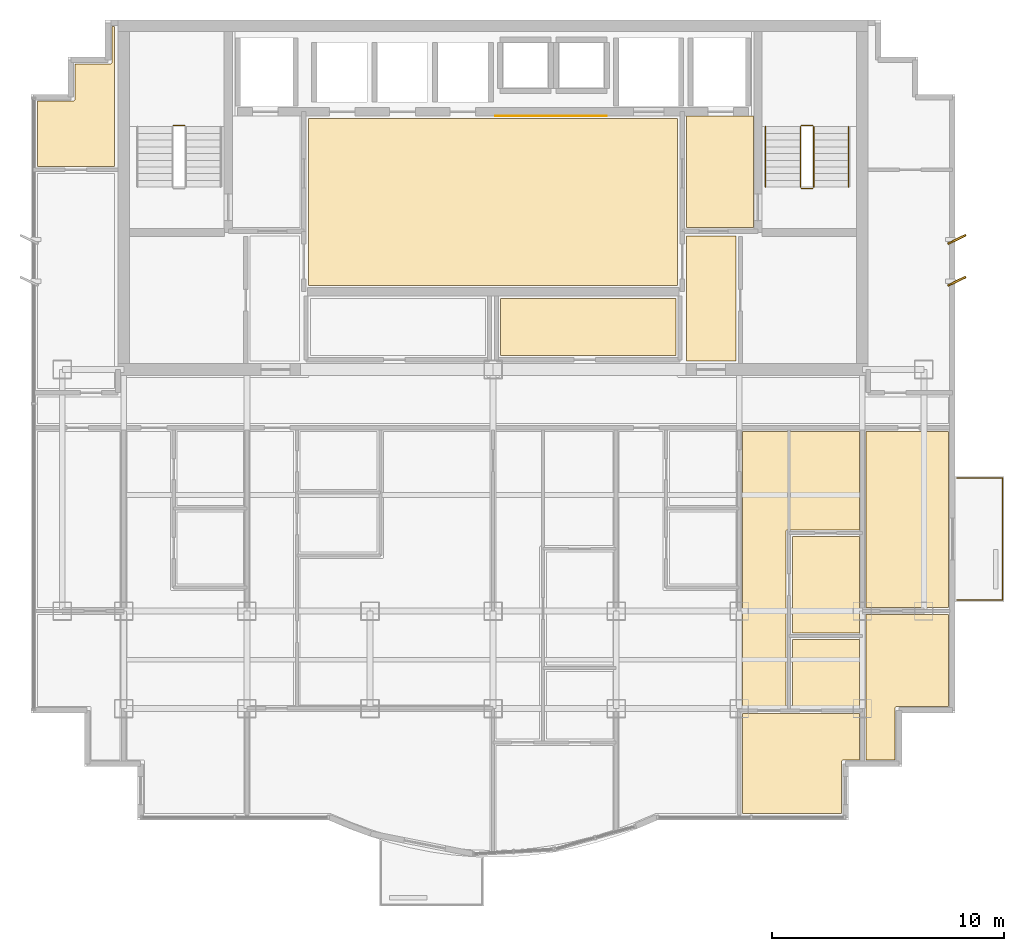
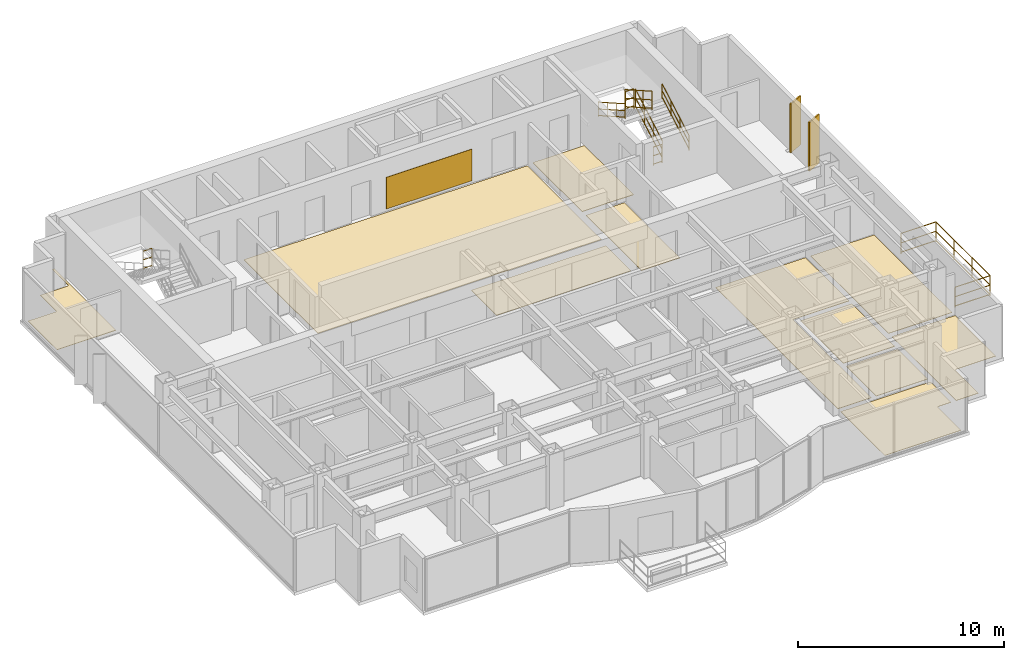
# One storey, part 11 of 11: 12 coverings, 8 railings, 2 shading devices.
"""IFC4 building model written with IfcOpenShell, lengths in metres."""

from ifc_helpers import new_model, si_unit, direction, frame, origin, origin_2d, place, context, subcontext, project, spatial, polyline, rectangle, circle, outline, extrude, source, transform, mapped, material, layer, layer_set, type_object, element, save


model = new_model("IFC4")

# Units and contexts
model_context = context("Model", 3, precision=1e-05, world=origin(), true_north=direction((0.0, 1.0)))
body_context = subcontext(model_context, "Body", "Model", "MODEL_VIEW")
ifc_project = project(units=[si_unit("LENGTHUNIT", "METRE"), si_unit("AREAUNIT", "SQUARE_METRE"), si_unit("VOLUMEUNIT", "CUBIC_METRE"), si_unit("PLANEANGLEUNIT", "RADIAN"), si_unit("MASSUNIT", "GRAM", prefix="KILO")], contexts=[model_context])

# Site, building, storey
site_placement = place(None, origin())
site = spatial("IfcSite", under=ifc_project, at=site_placement, CompositionType="ELEMENT")
building_placement = place(site_placement, origin())
building = spatial("IfcBuilding", under=site, at=building_placement, Name="Qianlan Lanfeng Residences", CompositionType="ELEMENT")
storey_placement = place(building_placement, frame((0.0, 0.0, 203.300048828125)))
storey = spatial("IfcBuildingStorey", under=building, at=storey_placement, Name="L55", CompositionType="ELEMENT", Elevation=203.300048828125)

# Coverings
ifc_material_1 = material(Name="Anodised Bronze Feature Wall Cladding")
ifc_layer_1 = layer(ifc_material_1, 0.02490234375)
ifc_layer_set_1 = layer_set([ifc_layer_1], Name="Anodised Bronze Feature Wall Cladding")
covering_type_1 = type_object("IfcCoveringType", Name="CLD-BRZ-25", PredefinedType="CLADDING", material=ifc_layer_set_1)
covering_1_placement = place(storey_placement, frame((0.0, 0.0, 0.14990234375)))
element("IfcCovering", 1, at=covering_1_placement, inside=storey, type_object=covering_type_1, Name="L55 Lift Lobby Bronze Feature Cladding", PredefinedType="CLADDING", context=body_context, shape_type="SweptSolid", body=[
    extrude(outline(polyline([(26.60009765625, 36.10009765625), (31.39990234375, 36.10009765625), (31.39990234375, 36.125), (26.60009765625, 36.125), (26.60009765625, 36.10009765625)])), origin(), (0.0, 0.0, 1.0), 1.880126953125),
])
ifc_material_2 = material(Name="Honed Taitung Granite Stone Flooring", Category="masonry")
ifc_layer_2 = layer(ifc_material_2, 0.030029296875)
ifc_layer_set_2 = layer_set([ifc_layer_2], Name="Honed Taitung Granite Stone Flooring")
covering_type_2 = type_object("IfcCoveringType", Name="FLR-STN-30", PredefinedType="FLOORING", material=ifc_layer_set_2)
covering_2_placement = place(storey_placement, origin())
element("IfcCovering", 2, at=covering_2_placement, inside=storey, type_object=covering_type_2, Name="L55 Firefighting Lift Lobby Floor Finish", PredefinedType="FLOORING", context=body_context, shape_type="SweptSolid", body=[
    extrude(outline(polyline([(34.820068359375, 31.320068359375), (37.7099609375, 31.320068359375), (37.7099609375, 36.110107421875), (34.820068359375, 36.110107421875), (34.820068359375, 31.320068359375)])), origin(), (0.0, 0.0, 1.0), 0.030029296875),
])
covering_3_placement = place(storey_placement, origin())
element("IfcCovering", 3, at=covering_3_placement, inside=storey, type_object=covering_type_2, Name="L55 Lift Lobby Floor Finish", PredefinedType="FLOORING", context=body_context, shape_type="SweptSolid", body=[
    extrude(outline(polyline([(18.550048828125, 28.820068359375), (34.449951171875, 28.820068359375), (34.449951171875, 36.010009765625), (18.550048828125, 36.010009765625), (18.550048828125, 28.820068359375)])), origin(), (0.0, 0.0, 1.0), 0.030029296875),
])
covering_4_placement = place(storey_placement, origin())
element("IfcCovering", 4, at=covering_4_placement, inside=storey, type_object=covering_type_2, Name="L55 Lift Lobby Floor Finish", PredefinedType="FLOORING", context=body_context, shape_type="SweptSolid", body=[
    extrude(outline(polyline([(34.830078125, 25.56005859375), (36.969970703125, 25.56005859375), (36.969970703125, 30.949951171875), (34.830078125, 30.949951171875), (34.830078125, 25.56005859375)])), origin(), (0.0, 0.0, 1.0), 0.030029296875),
])
ifc_material_3 = material(Name="Slip-Resistant Porcelain Tile Flooring")
ifc_layer_3 = layer(ifc_material_3, 0.02001953125)
ifc_layer_set_3 = layer_set([ifc_layer_3], Name="Slip-Resistant Porcelain Tile Flooring")
covering_type_3 = type_object("IfcCoveringType", Name="FLR-TIL-20", PredefinedType="FLOORING", material=ifc_layer_set_3)
covering_5_placement = place(storey_placement, origin())
element("IfcCovering", 5, at=covering_5_placement, inside=storey, type_object=covering_type_3, Name="L55 En-Suite Bathroom Floor Finish", PredefinedType="FLOORING", context=body_context, shape_type="SweptSolid", body=[
    extrude(outline(polyline([(39.389892578125, 10.659912109375), (42.27001953125, 10.659912109375), (42.27001953125, 13.580078125), (39.389892578125, 13.580078125), (39.389892578125, 10.659912109375)])), origin(), (0.0, 0.0, 1.0), 0.02001953125),
])
ifc_material_4 = material(Name="Engineered Smoked Oak Timber Flooring", Category="wood")
ifc_layer_4 = layer(ifc_material_4, 0.02197265625)
ifc_layer_set_4 = layer_set([ifc_layer_4], Name="Engineered Smoked Oak Timber Flooring")
covering_type_4 = type_object("IfcCoveringType", Name="FLR-TIM-22", PredefinedType="FLOORING", material=ifc_layer_set_4)
covering_6_placement = place(storey_placement, origin())
element("IfcCovering", 6, at=covering_6_placement, inside=storey, type_object=covering_type_4, Name="L55 Panoramic Sky Foyer Salon Floor Finish", PredefinedType="FLOORING", context=body_context, shape_type="SweptSolid", body=[
    extrude(outline(polyline([(26.830078125, 25.800048828125), (34.3701171875, 25.800048828125), (34.3701171875, 28.2548828125), (26.830078125, 28.2548828125), (26.830078125, 25.800048828125)])), origin(), (0.0, 0.0, 1.0), 0.02197265625),
])
covering_7_placement = place(storey_placement, origin())
element("IfcCovering", 7, at=covering_7_placement, inside=storey, type_object=covering_type_4, Name="L55 Private Study Floor Finish", PredefinedType="FLOORING", context=body_context, shape_type="SweptSolid", body=[
    extrude(outline(polyline([(39.389892578125, 13.860107421875), (42.27001953125, 13.860107421875), (42.27001953125, 18.02001953125), (39.389892578125, 18.02001953125), (39.389892578125, 13.860107421875)])), origin(), (0.0, 0.0, 1.0), 0.02197265625),
])
covering_8_placement = place(storey_placement, origin())
element("IfcCovering", 8, at=covering_8_placement, inside=storey, type_object=covering_type_4, Name="L55 Villa Family Sitting Room Floor Finish", PredefinedType="FLOORING", context=body_context, shape_type="SweptSolid", body=[
    extrude(outline(polyline([(37.22998046875, 10.659912109375), (39.110107421875, 10.659912109375), (39.110107421875, 18.22998046875), (39.110107421875, 18.237060546875), (39.111083984375, 18.243896484375), (39.113037109375, 18.25), (39.114990234375, 18.257080078125), (39.117919921875, 18.262939453125), (39.1220703125, 18.26904296875), (39.1259765625, 18.27392578125), (39.131103515625, 18.279052734375), (39.135986328125, 18.283935546875), (39.14111328125, 18.2880859375), (39.14697265625, 18.2919921875), (39.153076171875, 18.294921875), (39.159912109375, 18.297119140625), (39.166015625, 18.299072265625), (39.173095703125, 18.300048828125), (39.179931640625, 18.300048828125), (42.27001953125, 18.300048828125), (42.27001953125, 22.530029296875), (37.22998046875, 22.530029296875), (37.22998046875, 10.659912109375)])), origin(), (0.0, 0.0, 1.0), 0.02197265625),
])
covering_9_placement = place(storey_placement, origin())
element("IfcCovering", 9, at=covering_9_placement, inside=storey, type_object=covering_type_4, Name="L55 Master Bedroom Floor Finish", PredefinedType="FLOORING", context=body_context, shape_type="SweptSolid", body=[
    extrude(outline(polyline([(37.22998046875, 10.3798828125), (37.22998046875, 6.090087890625), (41.510009765625, 6.090087890625), (41.510009765625, 8.320068359375), (41.510009765625, 8.326904296875), (41.510986328125, 8.333984375), (41.512939453125, 8.340087890625), (41.514892578125, 8.346923828125), (41.51806640625, 8.35302734375), (41.52197265625, 8.35888671875), (41.52587890625, 8.364013671875), (41.531005859375, 8.368896484375), (41.535888671875, 8.3740234375), (41.541015625, 8.3779296875), (41.547119140625, 8.382080078125), (41.552978515625, 8.385009765625), (41.56005859375, 8.386962890625), (41.56591796875, 8.388916015625), (41.572998046875, 8.389892578125), (41.580078125, 8.389892578125), (42.27001953125, 8.389892578125), (42.27001953125, 10.3798828125), (37.22998046875, 10.3798828125)])), origin(), (0.0, 0.0, 1.0), 0.02197265625),
])
covering_10_placement = place(storey_placement, origin())
element("IfcCovering", 10, at=covering_10_placement, inside=storey, type_object=covering_type_4, Name="L55 Sunroom Floor Finish", PredefinedType="FLOORING", context=body_context, shape_type="SweptSolid", body=[
    extrude(outline(polyline([(46.110107421875, 14.64990234375), (42.56005859375, 14.64990234375), (42.56005859375, 8.389892578125), (43.81005859375, 8.389892578125), (43.81005859375, 10.6201171875), (43.81005859375, 10.626953125), (43.81103515625, 10.634033203125), (43.81298828125, 10.639892578125), (43.81494140625, 10.64697265625), (43.818115234375, 10.653076171875), (43.822021484375, 10.658935546875), (43.825927734375, 10.6640625), (43.8310546875, 10.6689453125), (43.8359375, 10.674072265625), (43.841064453125, 10.677978515625), (43.846923828125, 10.681884765625), (43.85302734375, 10.68505859375), (43.860107421875, 10.68701171875), (43.865966796875, 10.68896484375), (43.873046875, 10.68994140625), (43.8798828125, 10.68994140625), (46.110107421875, 10.68994140625), (46.110107421875, 14.64990234375)])), origin(), (0.0, 0.0, 1.0), 0.02197265625),
])
covering_11_placement = place(storey_placement, origin())
element("IfcCovering", 11, at=covering_11_placement, inside=storey, type_object=covering_type_4, Name="L55 Private Study Floor Finish", PredefinedType="FLOORING", context=body_context, shape_type="SweptSolid", body=[
    extrude(outline(polyline([(46.110107421875, 22.530029296875), (42.56005859375, 22.530029296875), (42.56005859375, 14.949951171875), (46.110107421875, 14.949951171875), (46.110107421875, 22.530029296875)])), origin(), (0.0, 0.0, 1.0), 0.02197265625),
])
covering_12_placement = place(storey_placement, origin())
element("IfcCovering", 12, at=covering_12_placement, inside=storey, type_object=covering_type_4, Name="L55 Resident Lounge Floor Finish", PredefinedType="FLOORING", context=body_context, shape_type="SweptSolid", body=[
    extrude(outline(polyline([(6.889892578125, 33.949951171875), (10.199951171875, 33.949951171875), (10.199951171875, 39.9599609375), (10.090087890625, 39.9599609375), (10.090087890625, 38.429931640625), (10.090087890625, 38.423095703125), (10.089111328125, 38.416015625), (10.0869140625, 38.409912109375), (10.0849609375, 38.403076171875), (10.08203125, 38.39697265625), (10.077880859375, 38.39111328125), (10.073974609375, 38.385986328125), (10.069091796875, 38.381103515625), (10.06396484375, 38.3759765625), (10.05908203125, 38.3720703125), (10.052978515625, 38.367919921875), (10.047119140625, 38.364990234375), (10.0400390625, 38.363037109375), (10.033935546875, 38.361083984375), (10.027099609375, 38.360107421875), (10.02001953125, 38.360107421875), (8.489990234375, 38.360107421875), (8.489990234375, 36.830078125), (8.489990234375, 36.822998046875), (8.489013671875, 36.81591796875), (8.487060546875, 36.81005859375), (8.485107421875, 36.802978515625), (8.48193359375, 36.797119140625), (8.47802734375, 36.791015625), (8.47412109375, 36.785888671875), (8.468994140625, 36.781005859375), (8.464111328125, 36.77587890625), (8.458984375, 36.77197265625), (8.452880859375, 36.76806640625), (8.447021484375, 36.764892578125), (8.43994140625, 36.762939453125), (8.43408203125, 36.760986328125), (8.427001953125, 36.760009765625), (8.419921875, 36.760009765625), (6.889892578125, 36.760009765625), (6.889892578125, 33.949951171875)])), origin(), (0.0, 0.0, 1.0), 0.02197265625),
])

# Railings
ifc_material_5 = material(Name="Anodised Bronze Aluminium and Laminated Glass Guard Balustrade", Category="aluminium")
railing_type_1 = type_object("IfcRailingType", Name="GR-EXT-1220", PredefinedType="BALUSTRADE", material=ifc_material_5)
railing_1_placement = place(storey_placement, frame((46.469970703125, 20.530029296875, 0.0)))
element("IfcRailing", 13, at=railing_1_placement, inside=storey, type_object=railing_type_1, Name="L55 Terrace Safety Guard GR-L55-EB-S", PredefinedType="BALUSTRADE", context=body_context, shape_type="SweptSolid", body=[
    extrude(circle(Radius=0.02490234375, at=origin_2d()), frame((0.0, 0.0, 0.0849609375), z_axis=(1.0, 0.0, 0.0), x_axis=(0.0, 1.0, 0.0)), (0.0, 0.0, 1.0), 1.9599609375),
    extrude(circle(Radius=0.02490234375, at=origin_2d()), frame((0.0, 0.0, 0.63427734375), z_axis=(1.0, 0.0, 0.0), x_axis=(0.0, 1.0, 0.0)), (0.0, 0.0, 1.0), 1.9599609375),
    extrude(circle(Radius=0.02490234375, at=origin_2d()), frame((0.0, 0.0, 1.19482421875), z_axis=(1.0, 0.0, 0.0), x_axis=(0.0, 1.0, 0.0)), (0.0, 0.0, 1.0), 1.9599609375),
    extrude(circle(Radius=0.02490234375, at=origin_2d()), frame((1.9599609375, 0.0, 0.0849609375), z_axis=(0.0, -1.0, 0.0), x_axis=(1.0, 0.0, 0.0)), (0.0, 0.0, 1.0), 5.260009765625),
    extrude(circle(Radius=0.02490234375, at=origin_2d()), frame((1.9599609375, 0.0, 0.63427734375), z_axis=(0.0, -1.0, 0.0), x_axis=(1.0, 0.0, 0.0)), (0.0, 0.0, 1.0), 5.260009765625),
    extrude(circle(Radius=0.02490234375, at=origin_2d()), frame((1.9599609375, 0.0, 1.19482421875), z_axis=(0.0, -1.0, 0.0), x_axis=(1.0, 0.0, 0.0)), (0.0, 0.0, 1.0), 5.260009765625),
    extrude(circle(Radius=0.02490234375, at=origin_2d()), frame((1.9599609375, -5.260009765625, 0.0849609375), z_axis=(-1.0, 0.0, 0.0), x_axis=(0.0, -1.0, 0.0)), (0.0, 0.0, 1.0), 1.9599609375),
    extrude(circle(Radius=0.02490234375, at=origin_2d()), frame((1.9599609375, -5.260009765625, 0.63427734375), z_axis=(-1.0, 0.0, 0.0), x_axis=(0.0, -1.0, 0.0)), (0.0, 0.0, 1.0), 1.9599609375),
    extrude(circle(Radius=0.02490234375, at=origin_2d()), frame((1.9599609375, -5.260009765625, 1.19482421875), z_axis=(-1.0, 0.0, 0.0), x_axis=(0.0, -1.0, 0.0)), (0.0, 0.0, 1.0), 1.9599609375),
    extrude(circle(Radius=0.02099609375, at=origin_2d()), origin(), (0.0, 0.0, 1.0), 1.169921875),
    extrude(circle(Radius=0.02099609375, at=origin_2d()), frame((1.9599609375, 0.0, 0.0)), (0.0, 0.0, 1.0), 1.169921875),
    extrude(circle(Radius=0.02099609375, at=origin_2d()), frame((1.9599609375, -1.75341796875, 0.0)), (0.0, 0.0, 1.0), 1.169921875),
    extrude(circle(Radius=0.02099609375, at=origin_2d()), frame((1.9599609375, -3.506591796875, 0.0)), (0.0, 0.0, 1.0), 1.169921875),
    extrude(circle(Radius=0.02099609375, at=origin_2d()), frame((1.9599609375, -5.260009765625, 0.0)), (0.0, 0.0, 1.0), 1.169921875),
    extrude(circle(Radius=0.02099609375, at=origin_2d()), frame((0.0, -5.260009765625, 0.0)), (0.0, 0.0, 1.0), 1.169921875),
])
ifc_material_6 = material(Name="Painted Galvanised Steel Guardrail", Category="steel")
railing_type_2 = type_object("IfcRailingType", Name="GR-ST-1120", PredefinedType="GUARDRAIL", material=ifc_material_6)
railing_2_placement = place(storey_placement, frame((13.219970703125, 35.7099609375, 1.64990234375)))
element("IfcRailing", 14, at=railing_2_placement, inside=storey, type_object=railing_type_2, Name="L55 ST-1 stair guard 2", PredefinedType="GUARDRAIL", context=body_context, shape_type="SweptSolid", body=[
    extrude(circle(Radius=0.02392578125, at=origin_2d()), frame((0.0, 0.0, 0.083984375), z_axis=(-1.0, 0.0, 0.0), x_axis=(0.0, -1.0, 0.0)), (0.0, 0.0, 1.0), 0.47998046875),
    extrude(circle(Radius=0.02392578125, at=origin_2d()), frame((0.0, 0.0, 0.58251953125), z_axis=(-1.0, 0.0, 0.0), x_axis=(0.0, -1.0, 0.0)), (0.0, 0.0, 1.0), 0.47998046875),
    extrude(circle(Radius=0.02392578125, at=origin_2d()), frame((0.0, 0.0, 1.09619140625), z_axis=(-1.0, 0.0, 0.0), x_axis=(0.0, -1.0, 0.0)), (0.0, 0.0, 1.0), 0.47998046875),
    extrude(circle(Radius=0.02099609375, at=origin_2d()), origin(), (0.0, 0.0, 1.0), 1.072021484375),
    extrude(circle(Radius=0.02099609375, at=origin_2d()), frame((-0.47998046875, 0.0, 0.0)), (0.0, 0.0, 1.0), 1.072021484375),
])
railing_3_placement = place(storey_placement, frame((40.31005859375, 33.050048828125, 0.1650390625)))
element("IfcRailing", 15, at=railing_3_placement, inside=storey, type_object=railing_type_2, Name="L55 ST-2 stair guard 1", PredefinedType="GUARDRAIL", context=body_context, shape_type="SweptSolid", body=[
    extrude(circle(Radius=0.02392578125, at=origin_2d()), frame((0.0, 0.0, 0.083984375), z_axis=(0.0, 0.869172267526, 0.494509422927), x_axis=(-1.0, 0.0, 0.0)), (0.0, 0.0, 1.0), 3.002685546875),
    extrude(circle(Radius=0.02392578125, at=origin_2d()), frame((0.0, 0.0, 0.58251953125), z_axis=(0.0, 0.869172267526, 0.494509422927), x_axis=(-1.0, 0.0, 0.0)), (0.0, 0.0, 1.0), 3.002685546875),
    extrude(circle(Radius=0.02392578125, at=origin_2d()), frame((0.0, 0.0, 1.09619140625), z_axis=(0.0, 0.869172267526, 0.494509422927), x_axis=(-1.0, 0.0, 0.0)), (0.0, 0.0, 1.0), 3.002685546875),
    extrude(circle(Radius=0.02099609375, at=origin_2d()), origin(), (0.0, 0.0, 1.0), 1.072021484375),
    extrude(circle(Radius=0.02099609375, at=origin_2d()), frame((0.0, 0.869873046875, 0.494873046875)), (0.0, 0.0, 1.0), 1.072021484375),
    extrude(circle(Radius=0.02099609375, at=origin_2d()), frame((0.0, 1.739990234375, 0.989990234375)), (0.0, 0.0, 1.0), 1.072021484375),
    extrude(circle(Radius=0.02099609375, at=origin_2d()), frame((0.0, 2.60986328125, 1.48486328125)), (0.0, 0.0, 1.0), 1.072021484375),
])
railing_4_placement = place(storey_placement, frame((40.260009765625, 35.7099609375, 1.64990234375)))
element("IfcRailing", 16, at=railing_4_placement, inside=storey, type_object=railing_type_2, Name="L55 ST-2 stair guard 2", PredefinedType="GUARDRAIL", context=body_context, shape_type="SweptSolid", body=[
    extrude(circle(Radius=0.02392578125, at=origin_2d()), frame((0.0, 0.0, 0.083984375), z_axis=(-1.0, 0.0, 0.0), x_axis=(0.0, -1.0, 0.0)), (0.0, 0.0, 1.0), 0.47998046875),
    extrude(circle(Radius=0.02392578125, at=origin_2d()), frame((0.0, 0.0, 0.58251953125), z_axis=(-1.0, 0.0, 0.0), x_axis=(0.0, -1.0, 0.0)), (0.0, 0.0, 1.0), 0.47998046875),
    extrude(circle(Radius=0.02392578125, at=origin_2d()), frame((0.0, 0.0, 1.09619140625), z_axis=(-1.0, 0.0, 0.0), x_axis=(0.0, -1.0, 0.0)), (0.0, 0.0, 1.0), 0.47998046875),
    extrude(circle(Radius=0.02099609375, at=origin_2d()), origin(), (0.0, 0.0, 1.0), 1.072021484375),
    extrude(circle(Radius=0.02099609375, at=origin_2d()), frame((-0.47998046875, 0.0, 0.0)), (0.0, 0.0, 1.0), 1.072021484375),
])
railing_5_placement = place(storey_placement, frame((39.72998046875, 35.659912109375, 1.81494140625)))
element("IfcRailing", 17, at=railing_5_placement, inside=storey, type_object=railing_type_2, Name="L55 ST-2 stair guard 3", PredefinedType="GUARDRAIL", context=body_context, shape_type="SweptSolid", body=[
    extrude(circle(Radius=0.02392578125, at=origin_2d()), frame((0.0, 0.0, 0.083984375), z_axis=(0.0, -0.869137319866, 0.494570843475), x_axis=(1.0, 0.0, 0.0)), (0.0, 0.0, 1.0), 3.0029296875),
    extrude(circle(Radius=0.02392578125, at=origin_2d()), frame((0.0, 0.0, 0.58251953125), z_axis=(0.0, -0.869137319866, 0.494570843475), x_axis=(1.0, 0.0, 0.0)), (0.0, 0.0, 1.0), 3.0029296875),
    extrude(circle(Radius=0.02392578125, at=origin_2d()), frame((0.0, 0.0, 1.09619140625), z_axis=(0.0, -0.869137319866, 0.494570843475), x_axis=(1.0, 0.0, 0.0)), (0.0, 0.0, 1.0), 3.0029296875),
    extrude(circle(Radius=0.02099609375, at=origin_2d()), origin(), (0.0, 0.0, 1.0), 1.072021484375),
    extrude(circle(Radius=0.02099609375, at=origin_2d()), frame((0.0, -0.869873046875, 0.4951171875)), (0.0, 0.0, 1.0), 1.072021484375),
    extrude(circle(Radius=0.02099609375, at=origin_2d()), frame((0.0, -1.739990234375, 0.989990234375)), (0.0, 0.0, 1.0), 1.072021484375),
    extrude(circle(Radius=0.02099609375, at=origin_2d()), frame((0.0, -2.60986328125, 1.485107421875)), (0.0, 0.0, 1.0), 1.072021484375),
])
railing_6_placement = place(storey_placement, frame((40.260009765625, 33.0, 0.0)))
element("IfcRailing", 18, at=railing_6_placement, inside=storey, type_object=railing_type_2, Name="L55 ST-2 stair guard 4", PredefinedType="GUARDRAIL", context=body_context, shape_type="SweptSolid", body=[
    extrude(circle(Radius=0.02392578125, at=origin_2d()), frame((0.0, 0.0, 0.083984375), z_axis=(-1.0, 0.0, 0.0), x_axis=(0.0, -1.0, 0.0)), (0.0, 0.0, 1.0), 0.47998046875),
    extrude(circle(Radius=0.02392578125, at=origin_2d()), frame((0.0, 0.0, 0.58251953125), z_axis=(-1.0, 0.0, 0.0), x_axis=(0.0, -1.0, 0.0)), (0.0, 0.0, 1.0), 0.47998046875),
    extrude(circle(Radius=0.02392578125, at=origin_2d()), frame((0.0, 0.0, 1.09619140625), z_axis=(-1.0, 0.0, 0.0), x_axis=(0.0, -1.0, 0.0)), (0.0, 0.0, 1.0), 0.47998046875),
    extrude(circle(Radius=0.02099609375, at=origin_2d()), origin(), (0.0, 0.0, 1.0), 1.072021484375),
    extrude(circle(Radius=0.02099609375, at=origin_2d()), frame((-0.47998046875, 0.0, 0.0)), (0.0, 0.0, 1.0), 1.072021484375),
])
ifc_material_7 = material(Name="Brushed Stainless Steel Handrail", Category="steel")
railing_type_3 = type_object("IfcRailingType", Name="HR-ST-920", PredefinedType="HANDRAIL", material=ifc_material_7)
railing_7_placement = place(storey_placement, frame((41.81005859375, 33.050048828125, 0.1650390625)))
element("IfcRailing", 19, at=railing_7_placement, inside=storey, type_object=railing_type_3, Name="L55 ST-2 stair handrail 1", PredefinedType="HANDRAIL", context=body_context, shape_type="SweptSolid", body=[
    extrude(circle(Radius=0.02392578125, at=origin_2d()), frame((0.0, 0.0, 0.083984375), z_axis=(0.0, 0.869172267526, 0.494509422927), x_axis=(-1.0, 0.0, 0.0)), (0.0, 0.0, 1.0), 3.002685546875),
    extrude(circle(Radius=0.02392578125, at=origin_2d()), frame((0.0, 0.0, 0.468017578125), z_axis=(0.0, 0.869172267526, 0.494509422927), x_axis=(-1.0, 0.0, 0.0)), (0.0, 0.0, 1.0), 3.002685546875),
    extrude(circle(Radius=0.02392578125, at=origin_2d()), frame((0.0, 0.0, 0.8759765625), z_axis=(0.0, 0.869172267526, 0.494509422927), x_axis=(-1.0, 0.0, 0.0)), (0.0, 0.0, 1.0), 3.002685546875),
    extrude(circle(Radius=0.02099609375, at=origin_2d()), origin(), (0.0, 0.0, 1.0), 0.851806640625),
    extrude(circle(Radius=0.02099609375, at=origin_2d()), frame((0.0, 0.869873046875, 0.494873046875)), (0.0, 0.0, 1.0), 0.851806640625),
    extrude(circle(Radius=0.02099609375, at=origin_2d()), frame((0.0, 1.739990234375, 0.989990234375)), (0.0, 0.0, 1.0), 0.851806640625),
    extrude(circle(Radius=0.02099609375, at=origin_2d()), frame((0.0, 2.60986328125, 1.48486328125)), (0.0, 0.0, 1.0), 0.851806640625),
])
railing_8_placement = place(storey_placement, frame((38.22998046875, 35.659912109375, 1.81494140625)))
element("IfcRailing", 20, at=railing_8_placement, inside=storey, type_object=railing_type_3, Name="L55 ST-2 stair handrail 2", PredefinedType="HANDRAIL", context=body_context, shape_type="SweptSolid", body=[
    extrude(circle(Radius=0.02392578125, at=origin_2d()), frame((0.0, 0.0, 0.083984375), z_axis=(0.0, -0.869137319866, 0.494570843475), x_axis=(1.0, 0.0, 0.0)), (0.0, 0.0, 1.0), 3.0029296875),
    extrude(circle(Radius=0.02392578125, at=origin_2d()), frame((0.0, 0.0, 0.468017578125), z_axis=(0.0, -0.869137319866, 0.494570843475), x_axis=(1.0, 0.0, 0.0)), (0.0, 0.0, 1.0), 3.0029296875),
    extrude(circle(Radius=0.02392578125, at=origin_2d()), frame((0.0, 0.0, 0.8759765625), z_axis=(0.0, -0.869137319866, 0.494570843475), x_axis=(1.0, 0.0, 0.0)), (0.0, 0.0, 1.0), 3.0029296875),
    extrude(circle(Radius=0.02099609375, at=origin_2d()), origin(), (0.0, 0.0, 1.0), 0.851806640625),
    extrude(circle(Radius=0.02099609375, at=origin_2d()), frame((0.0, -0.869873046875, 0.4951171875)), (0.0, 0.0, 1.0), 0.851806640625),
    extrude(circle(Radius=0.02099609375, at=origin_2d()), frame((0.0, -1.739990234375, 0.989990234375)), (0.0, 0.0, 1.0), 0.851806640625),
    extrude(circle(Radius=0.02099609375, at=origin_2d()), frame((0.0, -2.60986328125, 1.485107421875)), (0.0, 0.0, 1.0), 0.851806640625),
])

# Shading devices
ifc_material_8 = material(Name="Anodised Bronze Aluminium Solar Fin", Category="aluminium")
shading_device_type = type_object("IfcShadingDeviceType", Name="FIN-BRZ-850", PredefinedType="SHUTTER", material=ifc_material_8)
shared_shape = source(origin(), body_context, "Body", "SweptSolid", [
    extrude(rectangle(XDim=0.85009765625, YDim=0.080078125, at=origin_2d()), origin(), (0.0, 0.0, 1.0), 2.89990234375),
])
for number, where, z_axis, x_axis, name in (
    (21, (46.469970703125, 29.0, 0.0), (0.0, 0.0, 1.0), (0.898794046299, 0.438371146789, 0.0), "L55 Raked Bronze Solar Fin E1"),
    (22, (46.469970703125, 30.800048828125, 0.0), (0.0, 0.0, 1.0), (0.898794046299, 0.438371146789, 0.0), "L55 Raked Bronze Solar Fin E2"),
):
    element("IfcShadingDevice", number, at=place(storey_placement, frame(where, z_axis=z_axis, x_axis=x_axis)), inside=storey, type_object=shading_device_type, Name=name, PredefinedType="SHUTTER", context=body_context, shape_type="MappedRepresentation", body=[
        mapped(shared_shape, transform((0.0, 0.0, 0.0), scale=1.0)),
    ])

save(model, "model.ifc")
